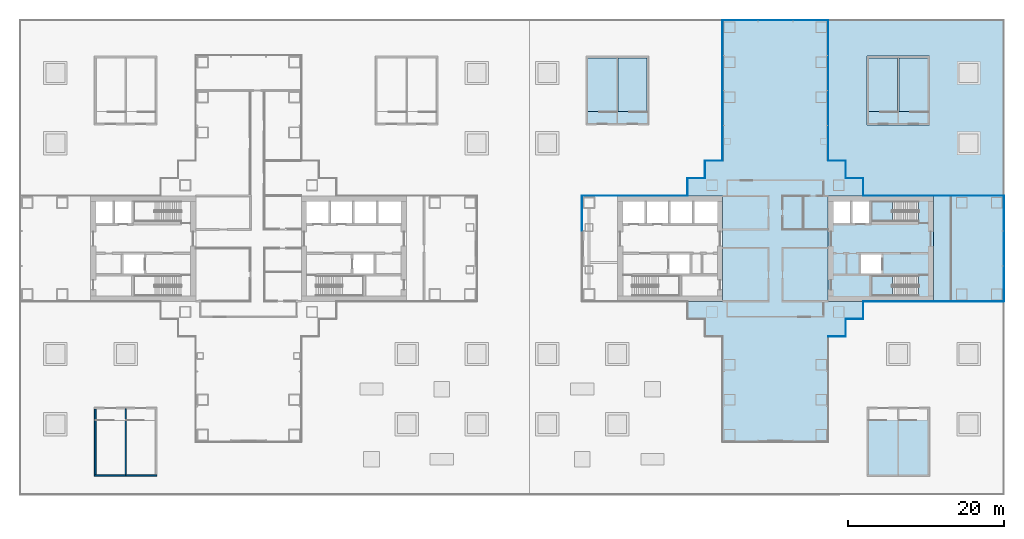
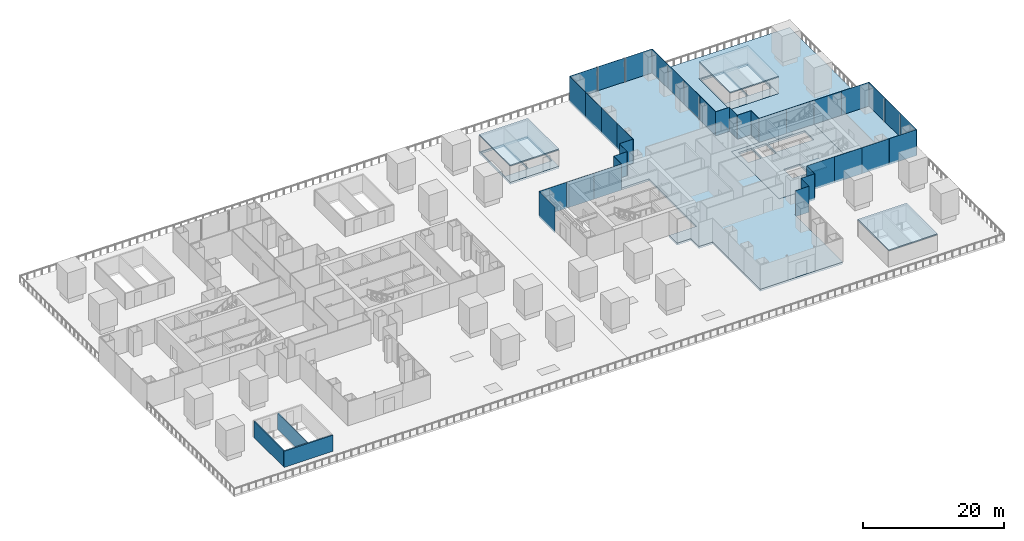
# One storey, part 13 of 23: 38 plates, 11 slabs, 3 walls, 16 elements without a shape of their own.
"""IFC4 building model written with IfcOpenShell, lengths in metres."""

from ifc_helpers import new_model, si_unit, direction, frame, frame_2d, origin, origin_2d, place, context, subcontext, project, spatial, polyline, rectangle, outline, extrude, material, layer, layer_set, type_object, element, aggregate, save


model = new_model("IFC4")

# Units and contexts
model_context = context("Model", 3, precision=1e-05, world=origin(), true_north=direction((0.0, 1.0)))
body_context = subcontext(model_context, "Body", "Model", "MODEL_VIEW")
ifc_project = project(units=[si_unit("LENGTHUNIT", "METRE"), si_unit("AREAUNIT", "SQUARE_METRE"), si_unit("VOLUMEUNIT", "CUBIC_METRE"), si_unit("PLANEANGLEUNIT", "RADIAN"), si_unit("MASSUNIT", "GRAM", prefix="KILO")], contexts=[model_context])

# Site, building, storey
site_placement = place(None, origin())
site = spatial("IfcSite", under=ifc_project, at=site_placement, CompositionType="ELEMENT")
building_placement = place(site_placement, origin())
building = spatial("IfcBuilding", under=site, at=building_placement, Name="Shamsa Quay Exchange Towers", CompositionType="ELEMENT")
storey_placement = place(building_placement, frame((0.0, 0.0, 28.5)))
storey = spatial("IfcBuildingStorey", under=building, at=storey_placement, Name="L05", CompositionType="ELEMENT", Elevation=28.5)

# Slabs
ifc_material_1 = material(Name="Concrete C50/60", Category="concrete")
ifc_layer_1 = layer(ifc_material_1, 0.35009765625)
ifc_layer_set_1 = layer_set([ifc_layer_1], Name="CORE FLOOR 350 C50/60")
slab_type_1 = type_object("IfcSlabType", Name="CORE FLOOR 350 C50/60", PredefinedType="FLOOR", material=ifc_layer_set_1)
slab_1_placement = place(storey_placement, frame((0.0, 0.0, -0.35009765625)))
element("IfcSlab", 1, at=slab_1_placement, inside=storey, type_object=slab_type_1, Name="Core floor T2B", PredefinedType="FLOOR", context=body_context, shape_type="SweptSolid", body=[
    extrude(outline(polyline([(54.0, -6.75), (54.0, 6.75), (40.5, 6.75), (40.5, -6.75), (54.0, -6.75)]), holes=[polyline([(52.099365234375, -3.5), (52.099365234375, -6.050048828125), (46.0, -6.050048828125), (46.0, -3.5), (52.099365234375, -3.5)]), polyline([(52.099365234375, 6.050048828125), (52.099365234375, 3.5), (46.0, 3.5), (46.0, 6.050048828125), (52.099365234375, 6.050048828125)]), polyline([(45.75, 3.25), (43.60009765625, 3.25), (43.60009765625, 6.050048828125), (45.75, 6.050048828125), (45.75, 3.25)]), polyline([(43.35009765625, 3.25), (41.199951171875, 3.25), (41.199951171875, 6.050048828125), (43.35009765625, 6.050048828125), (43.35009765625, 3.25)]), polyline([(47.35009765625, -3.25), (44.699951171875, -3.25), (44.699951171875, -0.75), (47.35009765625, -0.75), (47.35009765625, -3.25)])]), origin(), (0.0, 0.0, 1.0), 0.35009765625),
])
slab_2_placement = place(storey_placement, frame((0.0, 0.0, -0.35009765625)))
element("IfcSlab", 2, at=slab_2_placement, inside=storey, type_object=slab_type_1, Name="Stair floor PS3", PredefinedType="FLOOR", context=body_context, shape_type="SweptSolid", body=[
    extrude(outline(polyline([(9.5, 15.85009765625), (17.5, 15.85009765625), (17.5, 24.64990234375), (9.5, 24.64990234375), (9.5, 15.85009765625)]), holes=[polyline([(13.425048828125, 17.55078125), (9.699951171875, 17.55078125), (9.699951171875, 24.449951171875), (13.425048828125, 24.449951171875), (13.425048828125, 17.55078125)]), polyline([(17.300048828125, 17.55078125), (13.574951171875, 17.55078125), (13.574951171875, 24.449951171875), (17.300048828125, 24.449951171875), (17.300048828125, 17.55078125)])]), origin(), (0.0, 0.0, 1.0), 0.35009765625),
])
slab_3_placement = place(storey_placement, frame((0.0, 0.0, -0.35009765625)))
element("IfcSlab", 3, at=slab_3_placement, inside=storey, type_object=slab_type_1, Name="Stair floor PS4", PredefinedType="FLOOR", context=body_context, shape_type="SweptSolid", body=[
    extrude(outline(polyline([(45.5, 15.85009765625), (53.5, 15.85009765625), (53.5, 24.64990234375), (45.5, 24.64990234375), (45.5, 15.85009765625)]), holes=[polyline([(49.425048828125, 17.55078125), (45.699951171875, 17.55078125), (45.699951171875, 24.449951171875), (49.425048828125, 24.449951171875), (49.425048828125, 17.55078125)]), polyline([(53.300048828125, 17.55078125), (49.574951171875, 17.55078125), (49.574951171875, 24.449951171875), (53.300048828125, 24.449951171875), (53.300048828125, 17.55078125)])]), origin(), (0.0, 0.0, 1.0), 0.35009765625),
])

# Stair, slab
ifc_material_2 = material(Name="Concrete C40/50", Category="concrete")
stair_type = type_object("IfcStairType", Name="EXIT STAIR 26 RISERS 173 MM", PredefinedType="HALF_TURN_STAIR", material=ifc_material_2)
stair_1_placement = place(storey_placement, origin())
stair_1 = element("IfcStair", 4, at=stair_1_placement, inside=storey, type_object=stair_type, Name="L05 Exit stair ST5", PredefinedType="HALF_TURN_STAIR")
ifc_layer_2 = layer(ifc_material_2, 0.199951171875)
ifc_layer_set_2 = layer_set([ifc_layer_2], Name="CORE STAIR LANDING")
slab_type_2 = type_object("IfcSlabType", Name="CORE STAIR LANDING", PredefinedType="LANDING", material=ifc_layer_set_2)
slab_4_placement = place(storey_placement, frame((0.0, 0.0, 2.050048828125)))
slab_4 = element("IfcSlab", 5, at=slab_4_placement, type_object=slab_type_2, Name="ST5 landing 1", PredefinedType="LANDING", context=body_context, shape_type="SweptSolid", body=[
    extrude(outline(polyline([(48.739990234375, -3.5), (46.0, -3.5), (46.0, -6.050048828125), (48.739990234375, -6.050048828125), (48.739990234375, -3.5)])), origin(), (0.0, 0.0, 1.0), 0.199951171875),
])
aggregate(stair_1, [slab_4])

stair_2_placement = place(storey_placement, origin())
stair_2 = element("IfcStair", 6, at=stair_2_placement, inside=storey, type_object=stair_type, Name="L05 Exit stair ST6", PredefinedType="HALF_TURN_STAIR")
slab_5_placement = place(storey_placement, frame((0.0, 0.0, 2.050048828125)))
slab_5 = element("IfcSlab", 7, at=slab_5_placement, type_object=slab_type_2, Name="ST6 landing 1", PredefinedType="LANDING", context=body_context, shape_type="SweptSolid", body=[
    extrude(outline(polyline([(48.739990234375, 6.050048828125), (46.0, 6.050048828125), (46.0, 3.5), (48.739990234375, 3.5), (48.739990234375, 6.050048828125)])), origin(), (0.0, 0.0, 1.0), 0.199951171875),
])
aggregate(stair_2, [slab_5])

# Curtain wall, plates
ifc_material_3 = material(Name="Aluminium EN AW-6063 T6, black anodised", Category="aluminium")
ifc_layer_3 = layer(ifc_material_3, 0.280029296875)
ifc_layer_set_3 = layer_set([ifc_layer_3], Name="CW-1 UNITISED VISION GLASS")
curtain_wall_type_1 = type_object("IfcCurtainWallType", Name="CW-1 UNITISED VISION GLASS", PredefinedType="NOTDEFINED", material=ifc_layer_set_3)
curtain_wall_1_placement = place(storey_placement, origin())
curtain_wall_1 = element("IfcCurtainWall", 8, at=curtain_wall_1_placement, inside=storey, type_object=curtain_wall_type_1, Name="CW1 T2-FLK-V-W L05", PredefinedType="NOTDEFINED")
ifc_material_4 = material(Name="Glass, laminated, dark tinted", Category="glass")
ifc_layer_4 = layer(ifc_material_4, 0.0400390625)
ifc_layer_set_4 = layer_set([ifc_layer_4], Name="CW-1 VISION GLASS 40")
plate_type_1 = type_object("IfcPlateType", Name="CW-1 VISION GLASS 40", PredefinedType="CURTAIN_PANEL", material=ifc_layer_set_4)
plate_1_placement = place(storey_placement, frame((56.24755859375, -6.77001953125, -0.35009765625)))
plate_1 = element("IfcPlate", 9, at=plate_1_placement, type_object=plate_type_1, Name="CW1 glass panel", PredefinedType="CURTAIN_PANEL", context=body_context, shape_type="SweptSolid", body=[
    extrude(rectangle(XDim=4.4951171875, YDim=0.0400390625, at=origin_2d()), origin(), (0.0, 0.0, 1.0), 4.5),
])
plate_2_placement = place(storey_placement, frame((60.75244140625, -6.77001953125, -0.35009765625)))
plate_2 = element("IfcPlate", 10, at=plate_2_placement, type_object=plate_type_1, Name="CW1 glass panel", PredefinedType="CURTAIN_PANEL", context=body_context, shape_type="SweptSolid", body=[
    extrude(rectangle(XDim=4.4951171875, YDim=0.0400390625, at=origin_2d()), origin(), (0.0, 0.0, 1.0), 4.5),
])
aggregate(curtain_wall_1, [plate_1, plate_2])

curtain_wall_2_placement = place(storey_placement, origin())
curtain_wall_2 = element("IfcCurtainWall", 11, at=curtain_wall_2_placement, inside=storey, type_object=curtain_wall_type_1, Name="CW1 T2-END-V- L05", PredefinedType="NOTDEFINED")
plate_3_placement = place(storey_placement, frame((63.02001953125, -4.50244140625, -0.35009765625), z_axis=(0.0, 0.0, 1.0), x_axis=(0.0, 1.0, 0.0)))
plate_3 = element("IfcPlate", 12, at=plate_3_placement, type_object=plate_type_1, Name="CW1 glass panel", PredefinedType="CURTAIN_PANEL", context=body_context, shape_type="SweptSolid", body=[
    extrude(rectangle(XDim=4.4951171875, YDim=0.0400390625, at=origin_2d()), origin(), (0.0, 0.0, 1.0), 4.5),
])
plate_4_placement = place(storey_placement, frame((63.02001953125, 0.0, -0.35009765625), z_axis=(0.0, 0.0, 1.0), x_axis=(0.0, 1.0, 0.0)))
plate_4 = element("IfcPlate", 13, at=plate_4_placement, type_object=plate_type_1, Name="CW1 glass panel", PredefinedType="CURTAIN_PANEL", context=body_context, shape_type="SweptSolid", body=[
    extrude(rectangle(XDim=4.489990234375, YDim=0.0400390625, at=origin_2d()), origin(), (0.0, 0.0, 1.0), 4.5),
])
plate_5_placement = place(storey_placement, frame((63.02001953125, 4.50244140625, -0.35009765625), z_axis=(0.0, 0.0, 1.0), x_axis=(0.0, 1.0, 0.0)))
plate_5 = element("IfcPlate", 14, at=plate_5_placement, type_object=plate_type_1, Name="CW1 glass panel", PredefinedType="CURTAIN_PANEL", context=body_context, shape_type="SweptSolid", body=[
    extrude(rectangle(XDim=4.4951171875, YDim=0.0400390625, at=origin_2d()), origin(), (0.0, 0.0, 1.0), 4.5),
])
aggregate(curtain_wall_2, [plate_3, plate_4, plate_5])

curtain_wall_3_placement = place(storey_placement, origin())
curtain_wall_3 = element("IfcCurtainWall", 15, at=curtain_wall_3_placement, inside=storey, type_object=curtain_wall_type_1, Name="CW1 T2-FLK-V-E L05", PredefinedType="NOTDEFINED")
plate_6_placement = place(storey_placement, frame((60.75244140625, 6.77001953125, -0.35009765625), z_axis=(0.0, 0.0, 1.0), x_axis=(-1.0, 0.0, 0.0)))
plate_6 = element("IfcPlate", 16, at=plate_6_placement, type_object=plate_type_1, Name="CW1 glass panel", PredefinedType="CURTAIN_PANEL", context=body_context, shape_type="SweptSolid", body=[
    extrude(rectangle(XDim=4.4951171875, YDim=0.0400390625, at=origin_2d()), origin(), (0.0, 0.0, 1.0), 4.5),
])
plate_7_placement = place(storey_placement, frame((56.24755859375, 6.77001953125, -0.35009765625), z_axis=(0.0, 0.0, 1.0), x_axis=(-1.0, 0.0, 0.0)))
plate_7 = element("IfcPlate", 17, at=plate_7_placement, type_object=plate_type_1, Name="CW1 glass panel", PredefinedType="CURTAIN_PANEL", context=body_context, shape_type="SweptSolid", body=[
    extrude(rectangle(XDim=4.4951171875, YDim=0.0400390625, at=origin_2d()), origin(), (0.0, 0.0, 1.0), 4.5),
])
aggregate(curtain_wall_3, [plate_6, plate_7])

curtain_wall_4_placement = place(storey_placement, origin())
curtain_wall_4 = element("IfcCurtainWall", 18, at=curtain_wall_4_placement, inside=storey, type_object=curtain_wall_type_1, Name="CW1 T2-FLK-U+S L05", PredefinedType="NOTDEFINED")
plate_8_placement = place(storey_placement, frame((40.52001953125, 13.53076171875, -0.35009765625), z_axis=(0.0, 0.0, 1.0), x_axis=(0.0, 1.0, 0.0)))
plate_8 = element("IfcPlate", 19, at=plate_8_placement, type_object=plate_type_1, Name="CW1 glass panel", PredefinedType="CURTAIN_PANEL", context=body_context, shape_type="SweptSolid", body=[
    extrude(rectangle(XDim=4.485595703125, YDim=0.0400390625, at=origin_2d()), origin(), (0.0, 0.0, 1.0), 4.5),
])
plate_9_placement = place(storey_placement, frame((40.52001953125, 18.023681640625, -0.35009765625), z_axis=(0.0, 0.0, 1.0), x_axis=(0.0, 1.0, 0.0)))
plate_9 = element("IfcPlate", 20, at=plate_9_placement, type_object=plate_type_1, Name="CW1 glass panel", PredefinedType="CURTAIN_PANEL", context=body_context, shape_type="SweptSolid", body=[
    extrude(rectangle(XDim=4.48046875, YDim=0.0400390625, at=origin_2d()), origin(), (0.0, 0.0, 1.0), 4.5),
])
plate_10_placement = place(storey_placement, frame((40.52001953125, 22.51416015625, -0.35009765625), z_axis=(0.0, 0.0, 1.0), x_axis=(0.0, 1.0, 0.0)))
plate_10 = element("IfcPlate", 21, at=plate_10_placement, type_object=plate_type_1, Name="CW1 glass panel", PredefinedType="CURTAIN_PANEL", context=body_context, shape_type="SweptSolid", body=[
    extrude(rectangle(XDim=4.48046875, YDim=0.0400390625, at=origin_2d()), origin(), (0.0, 0.0, 1.0), 4.5),
])
plate_11_placement = place(storey_placement, frame((40.52001953125, 27.00732421875, -0.35009765625), z_axis=(0.0, 0.0, 1.0), x_axis=(0.0, 1.0, 0.0)))
plate_11 = element("IfcPlate", 22, at=plate_11_placement, type_object=plate_type_1, Name="CW1 glass panel", PredefinedType="CURTAIN_PANEL", context=body_context, shape_type="SweptSolid", body=[
    extrude(rectangle(XDim=4.485595703125, YDim=0.0400390625, at=origin_2d()), origin(), (0.0, 0.0, 1.0), 4.5),
])
aggregate(curtain_wall_4, [plate_8, plate_9, plate_10, plate_11])

curtain_wall_5_placement = place(storey_placement, origin())
curtain_wall_5 = element("IfcCurtainWall", 23, at=curtain_wall_5_placement, inside=storey, type_object=curtain_wall_type_1, Name="CW1 T2-END-U+ L05", PredefinedType="NOTDEFINED")
plate_12_placement = place(storey_placement, frame((38.25244140625, 29.27001953125, -0.35009765625), z_axis=(0.0, 0.0, 1.0), x_axis=(-1.0, 0.0, 0.0)))
plate_12 = element("IfcPlate", 24, at=plate_12_placement, type_object=plate_type_1, Name="CW1 glass panel", PredefinedType="CURTAIN_PANEL", context=body_context, shape_type="SweptSolid", body=[
    extrude(rectangle(XDim=4.4951171875, YDim=0.0400390625, at=origin_2d()), origin(), (0.0, 0.0, 1.0), 4.5),
])
plate_13_placement = place(storey_placement, frame((33.75, 29.27001953125, -0.35009765625), z_axis=(0.0, 0.0, 1.0), x_axis=(-1.0, 0.0, 0.0)))
plate_13 = element("IfcPlate", 25, at=plate_13_placement, type_object=plate_type_1, Name="CW1 glass panel", PredefinedType="CURTAIN_PANEL", context=body_context, shape_type="SweptSolid", body=[
    extrude(rectangle(XDim=4.489990234375, YDim=0.0400390625, at=origin_2d()), origin(), (0.0, 0.0, 1.0), 4.5),
])
plate_14_placement = place(storey_placement, frame((29.24755859375, 29.27001953125, -0.35009765625), z_axis=(0.0, 0.0, 1.0), x_axis=(-1.0, 0.0, 0.0)))
plate_14 = element("IfcPlate", 26, at=plate_14_placement, type_object=plate_type_1, Name="CW1 glass panel", PredefinedType="CURTAIN_PANEL", context=body_context, shape_type="SweptSolid", body=[
    extrude(rectangle(XDim=4.4951171875, YDim=0.0400390625, at=origin_2d()), origin(), (0.0, 0.0, 1.0), 4.5),
])
aggregate(curtain_wall_5, [plate_12, plate_13, plate_14])

curtain_wall_6_placement = place(storey_placement, origin())
curtain_wall_6 = element("IfcCurtainWall", 27, at=curtain_wall_6_placement, inside=storey, type_object=curtain_wall_type_1, Name="CW1 T2-FLK-U+N L05", PredefinedType="NOTDEFINED")
plate_15_placement = place(storey_placement, frame((26.97998046875, 27.00244140625, -0.35009765625), z_axis=(0.0, 0.0, 1.0), x_axis=(0.0, -1.0, 0.0)))
plate_15 = element("IfcPlate", 28, at=plate_15_placement, type_object=plate_type_1, Name="CW1 glass panel", PredefinedType="CURTAIN_PANEL", context=body_context, shape_type="SweptSolid", body=[
    extrude(rectangle(XDim=4.4951171875, YDim=0.0400390625, at=origin_2d()), origin(), (0.0, 0.0, 1.0), 4.5),
])
plate_16_placement = place(storey_placement, frame((26.97998046875, 22.5, -0.35009765625), z_axis=(0.0, 0.0, 1.0), x_axis=(0.0, -1.0, 0.0)))
plate_16 = element("IfcPlate", 29, at=plate_16_placement, type_object=plate_type_1, Name="CW1 glass panel", PredefinedType="CURTAIN_PANEL", context=body_context, shape_type="SweptSolid", body=[
    extrude(rectangle(XDim=4.489990234375, YDim=0.0400390625, at=origin_2d()), origin(), (0.0, 0.0, 1.0), 4.5),
])
plate_17_placement = place(storey_placement, frame((26.97998046875, 18.0, -0.35009765625), z_axis=(0.0, 0.0, 1.0), x_axis=(0.0, -1.0, 0.0)))
plate_17 = element("IfcPlate", 30, at=plate_17_placement, type_object=plate_type_1, Name="CW1 glass panel", PredefinedType="CURTAIN_PANEL", context=body_context, shape_type="SweptSolid", body=[
    extrude(rectangle(XDim=4.489990234375, YDim=0.0400390625, at=origin_2d()), origin(), (0.0, 0.0, 1.0), 4.5),
])
plate_18_placement = place(storey_placement, frame((26.97998046875, 13.49755859375, -0.35009765625), z_axis=(0.0, 0.0, 1.0), x_axis=(0.0, -1.0, 0.0)))
plate_18 = element("IfcPlate", 31, at=plate_18_placement, type_object=plate_type_1, Name="CW1 glass panel", PredefinedType="CURTAIN_PANEL", context=body_context, shape_type="SweptSolid", body=[
    extrude(rectangle(XDim=4.4951171875, YDim=0.0400390625, at=origin_2d()), origin(), (0.0, 0.0, 1.0), 4.5),
])
aggregate(curtain_wall_6, [plate_15, plate_16, plate_17, plate_18])

# Curtain wall, plate
curtain_wall_7_placement = place(storey_placement, origin())
curtain_wall_7 = element("IfcCurtainWall", 32, at=curtain_wall_7_placement, inside=storey, type_object=curtain_wall_type_1, Name="CW1 T2-FLK-V+E L05", PredefinedType="NOTDEFINED")
plate_19_placement = place(storey_placement, frame((11.25, 6.77001953125, -0.35009765625), z_axis=(0.0, 0.0, 1.0), x_axis=(-1.0, 0.0, 0.0)))
plate_19 = element("IfcPlate", 33, at=plate_19_placement, type_object=plate_type_1, Name="CW1 glass panel", PredefinedType="CURTAIN_PANEL", context=body_context, shape_type="SweptSolid", body=[
    extrude(rectangle(XDim=4.5, YDim=0.0400390625, at=origin_2d()), origin(), (0.0, 0.0, 1.0), 4.5),
])
aggregate(curtain_wall_7, [plate_19])

curtain_wall_8_placement = place(storey_placement, origin())
curtain_wall_8 = element("IfcCurtainWall", 34, at=curtain_wall_8_placement, inside=storey, type_object=curtain_wall_type_1, Name="CW1 T2-END-V+ L05", PredefinedType="NOTDEFINED")
plate_20_placement = place(storey_placement, frame((8.97998046875, 4.50244140625, -0.35009765625), z_axis=(0.0, 0.0, 1.0), x_axis=(0.0, -1.0, 0.0)))
plate_20 = element("IfcPlate", 35, at=plate_20_placement, type_object=plate_type_1, Name="CW1 glass panel", PredefinedType="CURTAIN_PANEL", context=body_context, shape_type="SweptSolid", body=[
    extrude(rectangle(XDim=4.4951171875, YDim=0.0400390625, at=origin_2d()), origin(), (0.0, 0.0, 1.0), 4.5),
])
aggregate(curtain_wall_8, [plate_20])

# Curtain wall, plates
ifc_layer_5 = layer(ifc_material_3, 0.303955078125)
ifc_layer_set_5 = layer_set([ifc_layer_5], Name="CW-2 UNITISED OPAQUE SPANDREL GLASS")
curtain_wall_type_2 = type_object("IfcCurtainWallType", Name="CW-2 UNITISED OPAQUE SPANDREL GLASS", PredefinedType="NOTDEFINED", material=ifc_layer_set_5)
curtain_wall_9_placement = place(storey_placement, origin())
curtain_wall_9 = element("IfcCurtainWall", 36, at=curtain_wall_9_placement, inside=storey, type_object=curtain_wall_type_2, Name="CW2 T2-FLK-V-W L05", PredefinedType="NOTDEFINED")
ifc_material_5 = material(Name="Glass, laminated, black enamelled opaque", Category="glass")
ifc_layer_6 = layer(ifc_material_5, 0.0439453125)
ifc_layer_set_6 = layer_set([ifc_layer_6], Name="CW-2 SPANDREL GLASS 44")
plate_type_2 = type_object("IfcPlateType", Name="CW-2 SPANDREL GLASS 44", PredefinedType="CURTAIN_PANEL", material=ifc_layer_set_6)
plate_21_placement = place(storey_placement, frame((47.27587890625, -6.77197265625, -0.35009765625)))
plate_21 = element("IfcPlate", 37, at=plate_21_placement, type_object=plate_type_2, Name="CW2 glass panel", PredefinedType="CURTAIN_PANEL", context=body_context, shape_type="SweptSolid", body=[
    extrude(rectangle(XDim=4.47607421875, YDim=0.0439453125, at=origin_2d()), origin(), (0.0, 0.0, 1.0), 4.5),
])
plate_22_placement = place(storey_placement, frame((51.761962890625, -6.77197265625, -0.35009765625)))
plate_22 = element("IfcPlate", 38, at=plate_22_placement, type_object=plate_type_2, Name="CW2 glass panel", PredefinedType="CURTAIN_PANEL", context=body_context, shape_type="SweptSolid", body=[
    extrude(rectangle(XDim=4.47607421875, YDim=0.0439453125, at=origin_2d()), origin(), (0.0, 0.0, 1.0), 4.5),
])
aggregate(curtain_wall_9, [plate_21, plate_22])

curtain_wall_10_placement = place(storey_placement, origin())
curtain_wall_10 = element("IfcCurtainWall", 39, at=curtain_wall_10_placement, inside=storey, type_object=curtain_wall_type_2, Name="CW2 T2-FLK-V-E L05", PredefinedType="NOTDEFINED")
plate_23_placement = place(storey_placement, frame((51.75244140625, 6.77197265625, -0.35009765625), z_axis=(0.0, 0.0, 1.0), x_axis=(-1.0, 0.0, 0.0)))
plate_23 = element("IfcPlate", 40, at=plate_23_placement, type_object=plate_type_2, Name="CW2 glass panel", PredefinedType="CURTAIN_PANEL", context=body_context, shape_type="SweptSolid", body=[
    extrude(rectangle(XDim=4.4951171875, YDim=0.0439453125, at=origin_2d()), origin(), (0.0, 0.0, 1.0), 4.5),
])
plate_24_placement = place(storey_placement, frame((47.24755859375, 6.77197265625, -0.35009765625), z_axis=(0.0, 0.0, 1.0), x_axis=(-1.0, 0.0, 0.0)))
plate_24 = element("IfcPlate", 41, at=plate_24_placement, type_object=plate_type_2, Name="CW2 glass panel", PredefinedType="CURTAIN_PANEL", context=body_context, shape_type="SweptSolid", body=[
    extrude(rectangle(XDim=4.4951171875, YDim=0.0439453125, at=origin_2d()), origin(), (0.0, 0.0, 1.0), 4.5),
])
aggregate(curtain_wall_10, [plate_23, plate_24])

curtain_wall_11_placement = place(storey_placement, origin())
curtain_wall_11 = element("IfcCurtainWall", 42, at=curtain_wall_11_placement, inside=storey, type_object=curtain_wall_type_2, Name="CW2 T2-FLK-V+E L05", PredefinedType="NOTDEFINED")
plate_25_placement = place(storey_placement, frame((20.22412109375, 6.77197265625, -0.35009765625), z_axis=(0.0, 0.0, 1.0), x_axis=(-1.0, 0.0, 0.0)))
plate_25 = element("IfcPlate", 43, at=plate_25_placement, type_object=plate_type_2, Name="CW2 glass panel", PredefinedType="CURTAIN_PANEL", context=body_context, shape_type="SweptSolid", body=[
    extrude(rectangle(XDim=4.47607421875, YDim=0.0439453125, at=origin_2d()), origin(), (0.0, 0.0, 1.0), 4.5),
])
plate_26_placement = place(storey_placement, frame((15.738037109375, 6.77197265625, -0.35009765625), z_axis=(0.0, 0.0, 1.0), x_axis=(-1.0, 0.0, 0.0)))
plate_26 = element("IfcPlate", 44, at=plate_26_placement, type_object=plate_type_2, Name="CW2 glass panel", PredefinedType="CURTAIN_PANEL", context=body_context, shape_type="SweptSolid", body=[
    extrude(rectangle(XDim=4.47607421875, YDim=0.0439453125, at=origin_2d()), origin(), (0.0, 0.0, 1.0), 4.5),
])
aggregate(curtain_wall_11, [plate_25, plate_26])

ifc_layer_7 = layer(ifc_material_3, 0.256103515625)
ifc_layer_set_7 = layer_set([ifc_layer_7], Name="CW-4 POCKET SERRATED GLAZING")
curtain_wall_type_3 = type_object("IfcCurtainWallType", Name="CW-4 POCKET SERRATED GLAZING", PredefinedType="NOTDEFINED", material=ifc_layer_set_7)
curtain_wall_12_placement = place(storey_placement, origin())
curtain_wall_12 = element("IfcCurtainWall", 45, at=curtain_wall_12_placement, inside=storey, type_object=curtain_wall_type_3, Name="CW4 PKWS L05", PredefinedType="NOTDEFINED")
ifc_layer_8 = layer(ifc_material_4, 0.035888671875)
ifc_layer_set_8 = layer_set([ifc_layer_8], Name="CW-4 POCKET GLASS 36")
plate_type_3 = type_object("IfcPlateType", Name="CW-4 POCKET GLASS 36", PredefinedType="CURTAIN_PANEL", material=ifc_layer_set_8)
plate_27_placement = place(storey_placement, frame((43.89404296875, -9.01806640625, -0.35009765625)))
plate_27 = element("IfcPlate", 46, at=plate_27_placement, type_object=plate_type_3, Name="CW4 glass panel", PredefinedType="CURTAIN_PANEL", context=body_context, shape_type="SweptSolid", body=[
    extrude(rectangle(XDim=2.2119140625, YDim=0.035888671875, at=origin_2d()), origin(), (0.0, 0.0, 1.0), 4.5),
])
plate_28_placement = place(storey_placement, frame((45.01806640625, -7.875, -0.35009765625), z_axis=(0.0, 0.0, 1.0), x_axis=(0.0, 1.0, 0.0)))
plate_28 = element("IfcPlate", 47, at=plate_28_placement, type_object=plate_type_3, Name="CW4 glass panel", PredefinedType="CURTAIN_PANEL", context=body_context, shape_type="SweptSolid", body=[
    extrude(rectangle(XDim=2.25, YDim=0.035888671875, at=origin_2d()), origin(), (0.0, 0.0, 1.0), 4.5),
])
plate_29_placement = place(storey_placement, frame((41.64599609375, -11.26806640625, -0.35009765625)))
plate_29 = element("IfcPlate", 48, at=plate_29_placement, type_object=plate_type_3, Name="CW4 glass panel", PredefinedType="CURTAIN_PANEL", context=body_context, shape_type="SweptSolid", body=[
    extrude(rectangle(XDim=2.2080078125, YDim=0.035888671875, at=origin_2d()), origin(), (0.0, 0.0, 1.0), 4.5),
])
plate_30_placement = place(storey_placement, frame((42.76806640625, -10.125, -0.35009765625), z_axis=(0.0, 0.0, 1.0), x_axis=(0.0, 1.0, 0.0)))
plate_30 = element("IfcPlate", 49, at=plate_30_placement, type_object=plate_type_3, Name="CW4 glass panel", PredefinedType="CURTAIN_PANEL", context=body_context, shape_type="SweptSolid", body=[
    extrude(rectangle(XDim=2.25, YDim=0.035888671875, at=origin_2d()), origin(), (0.0, 0.0, 1.0), 4.5),
])
aggregate(curtain_wall_12, [plate_27, plate_28, plate_29, plate_30])

curtain_wall_13_placement = place(storey_placement, origin())
curtain_wall_13 = element("IfcCurtainWall", 50, at=curtain_wall_13_placement, inside=storey, type_object=curtain_wall_type_3, Name="CW4 PKES L05", PredefinedType="NOTDEFINED")
plate_31_placement = place(storey_placement, frame((45.01806640625, 7.89794921875, -0.35009765625), z_axis=(0.0, 0.0, 1.0), x_axis=(0.0, 1.0, 0.0)))
plate_31 = element("IfcPlate", 51, at=plate_31_placement, type_object=plate_type_3, Name="CW4 glass panel", PredefinedType="CURTAIN_PANEL", context=body_context, shape_type="SweptSolid", body=[
    extrude(rectangle(XDim=2.2041015625, YDim=0.035888671875, at=origin_2d()), origin(), (0.0, 0.0, 1.0), 4.5),
])
plate_32_placement = place(storey_placement, frame((43.875, 9.01806640625, -0.35009765625), z_axis=(0.0, 0.0, 1.0), x_axis=(-1.0, 0.0, 0.0)))
plate_32 = element("IfcPlate", 52, at=plate_32_placement, type_object=plate_type_3, Name="CW4 glass panel", PredefinedType="CURTAIN_PANEL", context=body_context, shape_type="SweptSolid", body=[
    extrude(rectangle(XDim=2.25, YDim=0.035888671875, at=origin_2d()), origin(), (0.0, 0.0, 1.0), 4.5),
])
plate_33_placement = place(storey_placement, frame((42.76806640625, 10.14404296875, -0.35009765625), z_axis=(0.0, 0.0, 1.0), x_axis=(0.0, 1.0, 0.0)))
plate_33 = element("IfcPlate", 53, at=plate_33_placement, type_object=plate_type_3, Name="CW4 glass panel", PredefinedType="CURTAIN_PANEL", context=body_context, shape_type="SweptSolid", body=[
    extrude(rectangle(XDim=2.2119140625, YDim=0.035888671875, at=origin_2d()), origin(), (0.0, 0.0, 1.0), 4.5),
])
plate_34_placement = place(storey_placement, frame((41.625, 11.26806640625, -0.35009765625), z_axis=(0.0, 0.0, 1.0), x_axis=(-1.0, 0.0, 0.0)))
plate_34 = element("IfcPlate", 54, at=plate_34_placement, type_object=plate_type_3, Name="CW4 glass panel", PredefinedType="CURTAIN_PANEL", context=body_context, shape_type="SweptSolid", body=[
    extrude(rectangle(XDim=2.25, YDim=0.035888671875, at=origin_2d()), origin(), (0.0, 0.0, 1.0), 4.5),
])
aggregate(curtain_wall_13, [plate_31, plate_32, plate_33, plate_34])

curtain_wall_14_placement = place(storey_placement, origin())
curtain_wall_14 = element("IfcCurtainWall", 55, at=curtain_wall_14_placement, inside=storey, type_object=curtain_wall_type_3, Name="CW4 PKEN L05", PredefinedType="NOTDEFINED")
plate_35_placement = place(storey_placement, frame((25.85400390625, 11.26806640625, -0.35009765625), z_axis=(0.0, 0.0, 1.0), x_axis=(-1.0, 0.0, 0.0)))
plate_35 = element("IfcPlate", 56, at=plate_35_placement, type_object=plate_type_3, Name="CW4 glass panel", PredefinedType="CURTAIN_PANEL", context=body_context, shape_type="SweptSolid", body=[
    extrude(rectangle(XDim=2.2080078125, YDim=0.035888671875, at=origin_2d()), origin(), (0.0, 0.0, 1.0), 4.5),
])
plate_36_placement = place(storey_placement, frame((24.73193359375, 10.125, -0.35009765625), z_axis=(0.0, 0.0, 1.0), x_axis=(0.0, -1.0, 0.0)))
plate_36 = element("IfcPlate", 57, at=plate_36_placement, type_object=plate_type_3, Name="CW4 glass panel", PredefinedType="CURTAIN_PANEL", context=body_context, shape_type="SweptSolid", body=[
    extrude(rectangle(XDim=2.25, YDim=0.035888671875, at=origin_2d()), origin(), (0.0, 0.0, 1.0), 4.5),
])
plate_37_placement = place(storey_placement, frame((23.60595703125, 9.01806640625, -0.35009765625), z_axis=(0.0, 0.0, 1.0), x_axis=(-1.0, 0.0, 0.0)))
plate_37 = element("IfcPlate", 58, at=plate_37_placement, type_object=plate_type_3, Name="CW4 glass panel", PredefinedType="CURTAIN_PANEL", context=body_context, shape_type="SweptSolid", body=[
    extrude(rectangle(XDim=2.2119140625, YDim=0.035888671875, at=origin_2d()), origin(), (0.0, 0.0, 1.0), 4.5),
])
plate_38_placement = place(storey_placement, frame((22.48193359375, 7.875, -0.35009765625), z_axis=(0.0, 0.0, 1.0), x_axis=(0.0, -1.0, 0.0)))
plate_38 = element("IfcPlate", 59, at=plate_38_placement, type_object=plate_type_3, Name="CW4 glass panel", PredefinedType="CURTAIN_PANEL", context=body_context, shape_type="SweptSolid", body=[
    extrude(rectangle(XDim=2.25, YDim=0.035888671875, at=origin_2d()), origin(), (0.0, 0.0, 1.0), 4.5),
])
aggregate(curtain_wall_14, [plate_35, plate_36, plate_37, plate_38])

# Slabs
ifc_layer_9 = layer(ifc_material_2, 0.35009765625)
ifc_layer_set_9 = layer_set([ifc_layer_9], Name="Flat slab 350")
slab_type_3 = type_object("IfcSlabType", Name="Flat slab 350", PredefinedType="FLOOR", material=ifc_layer_set_9)
slab_6_placement = place(storey_placement, frame((0.0, 0.0, -0.35009765625)))
element("IfcSlab", 60, at=slab_6_placement, inside=storey, type_object=slab_type_3, Name="Flat slab T2 L05 5", PredefinedType="FLOOR", context=body_context, shape_type="SweptSolid", body=[
    extrude(outline(polyline([(45.0, -9.0), (45.0, -6.75), (40.5, -6.75), (40.5, 6.75), (45.0, 6.75), (45.0, 9.0), (42.75, 9.0), (42.75, 11.25), (40.5, 11.25), (40.5, 29.25), (27.0, 29.25), (27.0, 11.25), (24.75, 11.25), (24.75, 9.0), (22.5, 9.0), (22.5, 6.75), (27.0, 6.75), (27.0, -6.75), (22.5, -6.75), (22.5, -9.0), (24.75, -9.0), (24.75, -11.25), (27.0, -11.25), (27.0, -24.75), (40.5, -24.75), (40.5, -11.25), (42.75, -11.25), (42.75, -9.0), (45.0, -9.0)])), origin(), (0.0, 0.0, 1.0), 0.35009765625),
])
slab_7_placement = place(storey_placement, frame((0.0, 0.0, -0.35009765625)))
element("IfcSlab", 61, at=slab_7_placement, inside=storey, type_object=slab_type_3, Name="Flat slab T2 L05 6", PredefinedType="FLOOR", context=body_context, shape_type="SweptSolid", body=[
    extrude(outline(polyline([(63.0, 6.75), (54.0, 6.75), (54.0, -6.75), (63.0, -6.75), (63.0, 6.75)])), origin(), (0.0, 0.0, 1.0), 0.35009765625),
])
ifc_layer_10 = layer(ifc_material_2, 0.199951171875)
ifc_layer_set_10 = layer_set([ifc_layer_10], Name="HEAD-HOUSE ROOF 200 C40/50")
slab_type_4 = type_object("IfcSlabType", Name="HEAD-HOUSE ROOF 200 C40/50", PredefinedType="ROOF", material=ifc_layer_set_10)
slab_8_placement = place(storey_placement, frame((0.0, 0.0, 2.800048828125)))
element("IfcSlab", 62, at=slab_8_placement, inside=storey, type_object=slab_type_4, Name="Stair head roof PS3", PredefinedType="ROOF", context=body_context, shape_type="SweptSolid", body=[
    extrude(outline(polyline([(9.5, 15.85009765625), (17.5, 15.85009765625), (17.5, 24.64990234375), (9.5, 24.64990234375), (9.5, 15.85009765625)])), origin(), (0.0, 0.0, 1.0), 0.199951171875),
])
slab_9_placement = place(storey_placement, frame((0.0, 0.0, 2.800048828125)))
element("IfcSlab", 63, at=slab_9_placement, inside=storey, type_object=slab_type_4, Name="Stair head roof PS4", PredefinedType="ROOF", context=body_context, shape_type="SweptSolid", body=[
    extrude(outline(polyline([(45.5, 15.85009765625), (53.5, 15.85009765625), (53.5, 24.64990234375), (45.5, 24.64990234375), (45.5, 15.85009765625)])), origin(), (0.0, 0.0, 1.0), 0.199951171875),
])
slab_10_placement = place(storey_placement, frame((0.0, 0.0, 2.800048828125)))
element("IfcSlab", 64, at=slab_10_placement, inside=storey, type_object=slab_type_4, Name="Stair head roof PS6", PredefinedType="ROOF", context=body_context, shape_type="SweptSolid", body=[
    extrude(outline(polyline([(45.5, -29.14990234375), (53.5, -29.14990234375), (53.5, -20.35009765625), (45.5, -20.35009765625), (45.5, -29.14990234375)])), origin(), (0.0, 0.0, 1.0), 0.199951171875),
])
ifc_layer_11 = layer(ifc_material_2, 0.35009765625)
ifc_layer_set_11 = layer_set([ifc_layer_11], Name="Terrace roof slab 350")
slab_type_5 = type_object("IfcSlabType", Name="Terrace roof slab 350", PredefinedType="ROOF", material=ifc_layer_set_11)
slab_11_placement = place(storey_placement, frame((0.0, 0.0, -0.35009765625)))
element("IfcSlab", 65, at=slab_11_placement, inside=storey, type_object=slab_type_5, Name="Roof slab PD over L04 3", PredefinedType="ROOF", context=body_context, shape_type="SweptSolid", body=[
    extrude(outline(polyline([(45.02001953125, 6.77001953125), (63.0, 6.77001953125), (63.0, 29.25), (40.52001953125, 29.25), (40.52001953125, 11.27001953125), (42.77001953125, 11.27001953125), (42.77001953125, 9.02001953125), (45.02001953125, 9.02001953125), (45.02001953125, 6.77001953125)]), holes=[polyline([(45.5, 15.85009765625), (53.5, 15.85009765625), (53.5, 24.64990234375), (45.5, 24.64990234375), (45.5, 15.85009765625)])]), origin(), (0.0, 0.0, 1.0), 0.35009765625),
])

# Walls
ifc_layer_12 = layer(ifc_material_1, 0.199951171875)
ifc_layer_set_12 = layer_set([ifc_layer_12], Name="STAIR ENCLOSURE WALL 200 C50/60")
wall_type_1 = type_object("IfcWallType", Name="STAIR ENCLOSURE WALL 200 C50/60", PredefinedType="SHEAR", material=ifc_layer_set_12)
wall_1_placement = place(storey_placement, frame((-53.5, -29.050048828125, 0.0)))
element("IfcWall", 66, at=wall_1_placement, inside=storey, type_object=wall_type_1, Name="Stair enclosure wall PS5 outward", PredefinedType="SHEAR", context=body_context, shape_type="SweptSolid", body=[
    extrude(rectangle(XDim=8.0, YDim=0.199951171875, at=frame_2d((4.0, 0.0))), origin(), (0.0, 0.0, 1.0), 2.800048828125),
])
wall_2_placement = place(storey_placement, frame((-53.39990234375, -28.949951171875, 0.0), z_axis=(0.0, 0.0, 1.0), x_axis=(0.0, 1.0, 0.0)))
element("IfcWall", 67, at=wall_2_placement, inside=storey, type_object=wall_type_1, Name="Stair enclosure wall PS5 west", PredefinedType="SHEAR", context=body_context, shape_type="SweptSolid", body=[
    extrude(rectangle(XDim=8.39990234375, YDim=0.199951171875, at=frame_2d((4.199951171875, 0.0))), origin(), (0.0, 0.0, 1.0), 2.800048828125),
])
ifc_layer_13 = layer(ifc_material_1, 0.14990234375)
ifc_layer_set_13 = layer_set([ifc_layer_13], Name="STAIR PARTITION WALL 150 C50/60")
wall_type_2 = type_object("IfcWallType", Name="STAIR PARTITION WALL 150 C50/60", PredefinedType="SHEAR", material=ifc_layer_set_13)
wall_3_placement = place(storey_placement, frame((-49.5, -28.949951171875, 0.0), z_axis=(0.0, 0.0, 1.0), x_axis=(0.0, 1.0, 0.0)))
element("IfcWall", 68, at=wall_3_placement, inside=storey, type_object=wall_type_2, Name="Stair enclosure wall PS5 between the stairs", PredefinedType="SHEAR", context=body_context, shape_type="SweptSolid", body=[
    extrude(rectangle(XDim=8.39990234375, YDim=0.14990234375, at=frame_2d((4.199951171875, 0.0))), origin(), (0.0, 0.0, 1.0), 2.800048828125),
])

save(model, "model.ifc")
